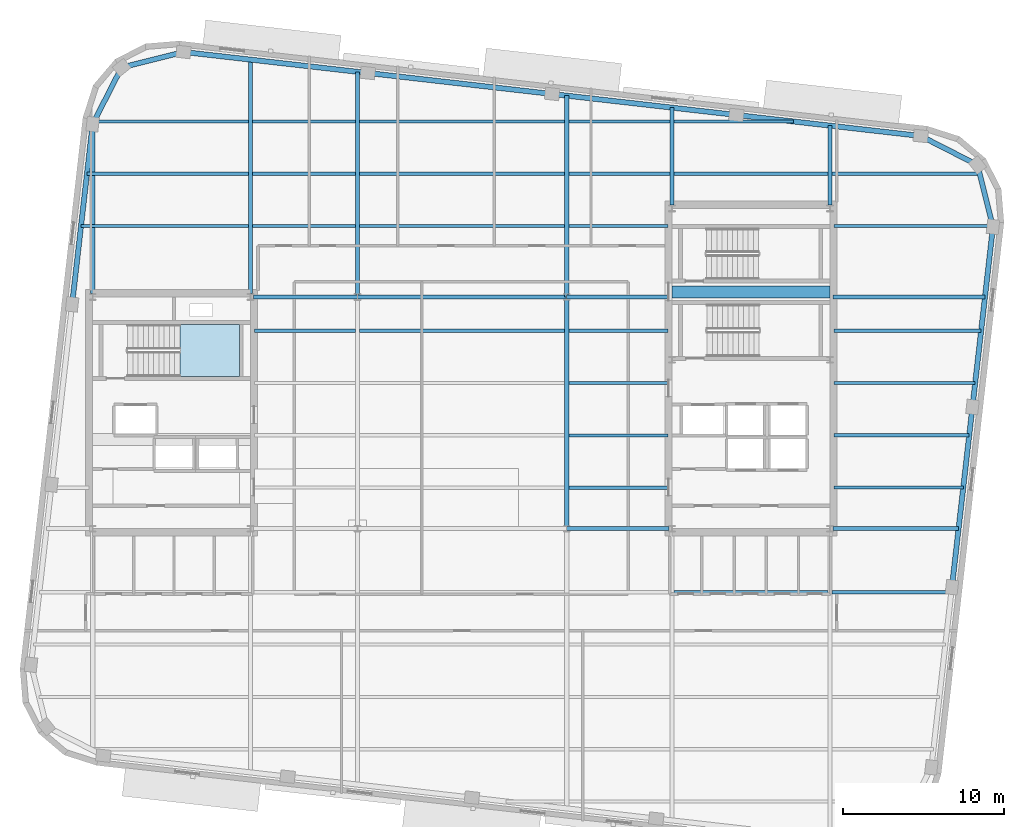
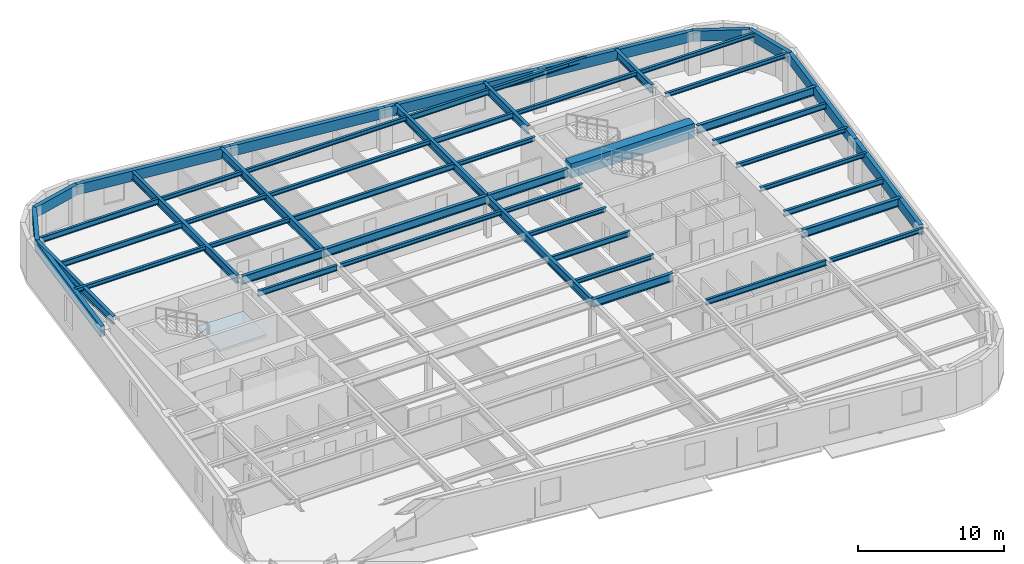
# One storey, part 4 of 13: 53 beams, 1 slab, 1 element without a shape of its own.
"""IFC4 building model written with IfcOpenShell, lengths in metres."""

import ifcopenshell
import ifcopenshell.guid

model = None  # the IFC model being written
_history = None  # IfcOwnerHistory: only IFC2X3 demands one
_inside = {}  # id of a spatial element -> (the spatial element, [elements in it])
_under = {}  # id of a project, library or spatial element -> (it, [spatial elements below it])
_declared = {}  # id of a project -> (the project, [libraries it declares])
_typed = {}  # id of a type object -> (the type object, [elements of that type])
_made_of = {}  # id of a material, layer set ... -> (it, [elements and type objects made of it])


def new_model(schema):
    """Start an empty IFC model of exactly this schema.

    Asked for "IFC4X3", IfcOpenShell would pick the latest addendum, in which some entities
    have other attributes; the version numbers below select the first issue.
    IFC2X3 requires an IfcOwnerHistory on every rooted entity: one is made here for all.
    """
    global model, _history
    if schema == "IFC4X3":
        model = ifcopenshell.file(schema_version=(4, 3, 0, 0))
    else:
        model = ifcopenshell.file(schema=schema)
    _inside.clear()
    _under.clear()
    _declared.clear()
    _typed.clear()
    _made_of.clear()
    _history = None
    if model.schema == "IFC2X3":
        org = make("IfcOrganization", Name="unknown")
        user = make(
            "IfcPersonAndOrganization",
            ThePerson=make("IfcPerson", FamilyName="unknown"),
            TheOrganization=org,
        )
        app = make(
            "IfcApplication",
            ApplicationDeveloper=org,
            Version="unknown",
            ApplicationFullName="unknown",
            ApplicationIdentifier="unknown",
        )
        _history = make(
            "IfcOwnerHistory",
            OwningUser=user,
            OwningApplication=app,
            ChangeAction="ADDED",
            CreationDate=0,
        )
    return model


def make(cls, **values):
    """One entity of the class cls with the attributes given. An attribute that is None is left unset."""
    return model.create_entity(
        cls, **{name: value for name, value in values.items() if value is not None}
    )


def rooted(cls, **values):
    """An entity with a GlobalId (a new one), such as an element, a storey or a relation."""
    return make(cls, GlobalId=ifcopenshell.guid.new(), OwnerHistory=_history, **values)


def si_unit(unit_type, name, prefix=None):
    """IfcSIUnit, for example si_unit("LENGTHUNIT", "METRE", prefix="MILLI")."""
    return make("IfcSIUnit", UnitType=unit_type, Prefix=prefix, Name=name)


def assignment(units):
    """IfcUnitAssignment: the units of a project."""
    return None if units is None else make("IfcUnitAssignment", Units=units)


def point(xyz):
    """IfcCartesianPoint."""
    return None if xyz is None else make("IfcCartesianPoint", Coordinates=xyz)


def direction(xyz):
    """IfcDirection."""
    return None if xyz is None else make("IfcDirection", DirectionRatios=xyz)


def frame(location, z_axis=None, x_axis=None):
    """IfcAxis2Placement3D, a coordinate frame: its origin and axes. An axis left out is left unset."""
    return make(
        "IfcAxis2Placement3D",
        Location=point(location),
        Axis=direction(z_axis),
        RefDirection=direction(x_axis),
    )


def frame_2d(location, x_axis=None):
    """IfcAxis2Placement2D, a coordinate frame in the plane: its origin and x axis."""
    return make(
        "IfcAxis2Placement2D", Location=point(location), RefDirection=direction(x_axis)
    )


def origin():
    """The frame at (0, 0, 0) with its axes left unset."""
    return frame((0.0, 0.0, 0.0))


def origin_2d():
    """The frame at (0, 0) in the plane with its x axis left unset."""
    return frame_2d((0.0, 0.0))


def place(relative_to, where):
    """IfcLocalPlacement: puts the frame where relative to a parent placement (None: the world)."""
    return make(
        "IfcLocalPlacement", PlacementRelTo=relative_to, RelativePlacement=where
    )


def context(
    kind, dimensions, precision=None, world=None, true_north=None, identifier=None
):
    """IfcGeometricRepresentationContext, for example the 3D "Model" context."""
    return make(
        "IfcGeometricRepresentationContext",
        ContextIdentifier=identifier,
        ContextType=kind,
        CoordinateSpaceDimension=dimensions,
        Precision=precision,
        WorldCoordinateSystem=world,
        TrueNorth=true_north,
    )


def subcontext(parent, identifier, kind, view, scale=None):
    """IfcGeometricRepresentationSubContext, for example "Body" below "Model"."""
    return make(
        "IfcGeometricRepresentationSubContext",
        ContextIdentifier=identifier,
        ContextType=kind,
        ParentContext=parent,
        TargetScale=scale,
        TargetView=view,
    )


def project(units=None, contexts=None):
    """IfcProject with its units and contexts."""
    return rooted(
        "IfcProject",
        Name="project",
        RepresentationContexts=contexts,
        UnitsInContext=assignment(units),
    )


def spatial(cls, under=None, at=None, **own):
    """A site, building, storey or space (cls), placed at a placement, below another one or the project."""
    s = rooted(cls, ObjectPlacement=at, **own)
    if under is not None:
        _under.setdefault(under.id(), (under, []))[1].append(s)
    return s


def polyline(points):
    """IfcPolyline through the points."""
    return make("IfcPolyline", Points=[point(p) for p in points])


def profile(cls, at=None, kind="AREA", **sizes):
    """A parametric profile (cls). Its sizes go by their IFC names, for example OverallWidth=200.0."""
    return make(cls, ProfileType=kind, Position=at, **sizes)


def rectangle(**sizes):
    """IfcRectangleProfileDef."""
    return profile("IfcRectangleProfileDef", **sizes)


def hollow_rectangle(**sizes):
    """IfcRectangleHollowProfileDef."""
    return profile("IfcRectangleHollowProfileDef", **sizes)


def i_section(**sizes):
    """IfcIShapeProfileDef."""
    return profile("IfcIShapeProfileDef", **sizes)


def outline(outer, holes=None, kind="AREA"):
    """IfcArbitraryClosedProfileDef: a profile drawn as a closed curve; with holes, ...WithVoids."""
    if holes is None:
        return make("IfcArbitraryClosedProfileDef", ProfileType=kind, OuterCurve=outer)
    return make(
        "IfcArbitraryProfileDefWithVoids",
        ProfileType=kind,
        OuterCurve=outer,
        InnerCurves=holes,
    )


def extrude(swept, where, along, depth):
    """IfcExtrudedAreaSolid: the profile swept, set in the frame where, extruded along a direction by depth."""
    return make(
        "IfcExtrudedAreaSolid",
        SweptArea=swept,
        Position=where,
        ExtrudedDirection=direction(along),
        Depth=depth,
    )


def shape(context_of_items, identifier, shape_type, items):
    """IfcShapeRepresentation: the items that make up one representation, for example the "Body"."""
    return make(
        "IfcShapeRepresentation",
        ContextOfItems=context_of_items,
        RepresentationIdentifier=identifier,
        RepresentationType=shape_type,
        Items=items,
    )


def material(Name=None, Category=None):
    """IfcMaterial."""
    return make("IfcMaterial", Name=Name, Category=Category)


def layer(
    of_material, thickness, ventilated=None, Name=None, Category=None, Priority=None
):
    """IfcMaterialLayer: one layer of a wall or slab, of a material (None: an air gap)."""
    return make(
        "IfcMaterialLayer",
        Material=of_material,
        LayerThickness=thickness,
        IsVentilated=ventilated,
        Name=Name,
        Category=Category,
        Priority=Priority,
    )


def layer_set(layers, Name=None):
    """IfcMaterialLayerSet."""
    return make("IfcMaterialLayerSet", MaterialLayers=layers, LayerSetName=Name)


def material_profile(
    of_material, cross_section, Name=None, Category=None, Priority=None
):
    """IfcMaterialProfile: a cross section and its material."""
    return make(
        "IfcMaterialProfile",
        Name=Name,
        Material=of_material,
        Profile=cross_section,
        Priority=Priority,
        Category=Category,
    )


def profile_set(profiles, Name=None, composite=None):
    """IfcMaterialProfileSet."""
    return make(
        "IfcMaterialProfileSet",
        Name=Name,
        MaterialProfiles=profiles,
        CompositeProfile=composite,
    )


def made_of(thing, what):
    """Note that an element or type object is made of a material, layer set ...; save() writes the relation."""
    if what is not None:
        _made_of.setdefault(what.id(), (what, []))[1].append(thing)
    return thing


def type_object(cls, material=None, **own):
    """A type object (cls), such as IfcWallType, which elements share."""
    return made_of(rooted(cls, **own), material)


def element(
    cls,
    number,
    at=None,
    inside=None,
    cuts=None,
    type_object=None,
    material=None,
    context=None,
    identifier="Body",
    shape_type=None,
    held_by="IfcProductDefinitionShape",
    body=None,
    shapes=None,
    **own,
):
    """One element of the class cls, such as IfcWall. Its Tag is "e" and its number.

    at: its placement. inside: the storey or other place that contains it. cuts: it is an
    opening in that element (IfcRelVoidsElement). A single representation is given by context,
    identifier, shape_type and body (its items); several are given by shapes. held_by: the class
    of the entity that holds the representations. save() writes the other relations.
    """
    e = rooted(cls, Tag="e%d" % number, ObjectPlacement=at, **own)
    if body is not None:
        shapes = [shape(context, identifier, shape_type, body)]
    if shapes is not None:
        e.Representation = make(held_by, Representations=shapes)
    if inside is not None:
        _inside.setdefault(inside.id(), (inside, []))[1].append(e)
    if cuts is not None:
        rooted(
            "IfcRelVoidsElement", RelatingBuildingElement=cuts, RelatedOpeningElement=e
        )
    if type_object is not None:
        _typed.setdefault(type_object.id(), (type_object, []))[1].append(e)
    return made_of(e, material)


def aggregate(whole, parts):
    """IfcRelAggregates: a whole, such as a stair, and the parts it consists of."""
    return rooted("IfcRelAggregates", RelatingObject=whole, RelatedObjects=parts)


def save(model, path):
    """Write the relations noted so far, then the file.

    IfcRelAggregates (storeys below a building ...), IfcRelContainedInSpatialStructure (elements
    in a storey), IfcRelDefinesByType, IfcRelAssociatesMaterial and IfcRelDeclares: one each for
    every whole, place, type object, material and project.
    """
    for whole, parts in _under.values():
        aggregate(whole, parts)
    for where, things in _inside.values():
        rooted(
            "IfcRelContainedInSpatialStructure",
            RelatedElements=things,
            RelatingStructure=where,
        )
    for kind, things in _typed.values():
        rooted("IfcRelDefinesByType", RelatedObjects=things, RelatingType=kind)
    for what, things in _made_of.values():
        rooted("IfcRelAssociatesMaterial", RelatedObjects=things, RelatingMaterial=what)
    for by, libraries in _declared.values():
        rooted("IfcRelDeclares", RelatingContext=by, RelatedDefinitions=libraries)
    model.write(path)


model = new_model("IFC4")

# Units and contexts
model_context = context("Model", 3, precision=1e-05, world=origin(), true_north=direction((0.0, 1.0)))
body_context = subcontext(model_context, "Body", "Model", "MODEL_VIEW")
ifc_project = project(units=[si_unit("LENGTHUNIT", "METRE"), si_unit("AREAUNIT", "SQUARE_METRE"), si_unit("VOLUMEUNIT", "CUBIC_METRE"), si_unit("PLANEANGLEUNIT", "RADIAN"), si_unit("MASSUNIT", "GRAM", prefix="KILO")], contexts=[model_context])

# Site, building, storey
site_placement = place(None, origin())
site = spatial("IfcSite", under=ifc_project, at=site_placement, CompositionType="ELEMENT")
building_placement = place(site_placement, origin())
building = spatial("IfcBuilding", under=site, at=building_placement, Name="Kolvaren Arena Tower", CompositionType="ELEMENT")
storey_placement = place(building_placement, frame((0.0, 0.0, 254.699951171875)))
storey = spatial("IfcBuildingStorey", under=building, at=storey_placement, Name="L62", CompositionType="ELEMENT", Elevation=254.699951171875)

# Beams
ifc_material_1 = material(Name="Steel CSA G40.21 350W", Category="steel")
ifc_material_profile_1 = material_profile(ifc_material_1, i_section(OverallWidth=0.193115234375, OverallDepth=0.462890625, WebThickness=0.0107421875, FlangeThickness=0.0205078125, FilletRadius=0.012939453125, at=origin_2d()), Name="W460x113")
ifc_profile_set_1 = profile_set([ifc_material_profile_1], Name="Steel CSA G40.21 350W")
beam_type_1 = type_object("IfcBeamType", Name="BEAM-F2", PredefinedType="BEAM", material=ifc_profile_set_1)
beam_1_placement = place(storey_placement, frame((50.677490234375, 15.5, 3.24853515625), z_axis=(1.0, 0.0, 0.0), x_axis=(0.0, 1.0, 0.0)))
element("IfcBeam", 1, at=beam_1_placement, inside=storey, type_object=beam_type_1, Name="Composite Floor Beam (L62)", PredefinedType="BEAM", context=body_context, shape_type="SweptSolid", body=[
    extrude(i_section(OverallWidth=0.193115234375, OverallDepth=0.462890625, WebThickness=0.0107421875, FlangeThickness=0.0205078125, FilletRadius=0.012939453125, at=origin_2d()), origin(), (0.0, 0.0, 1.0), 9.544921875),
])
beam_2_placement = place(storey_placement, frame((60.594970703125, 22.0, 3.24853515625), z_axis=(1.0, 0.0, 0.0), x_axis=(0.0, 1.0, 0.0)))
element("IfcBeam", 2, at=beam_2_placement, inside=storey, type_object=beam_type_1, Name="Composite Floor Beam (L62)", PredefinedType="BEAM", context=body_context, shape_type="SweptSolid", body=[
    extrude(i_section(OverallWidth=0.193115234375, OverallDepth=0.462890625, WebThickness=0.0107421875, FlangeThickness=0.0205078125, FilletRadius=0.012939453125, at=origin_2d()), origin(), (0.0, 0.0, 1.0), 8.041015625),
])
beam_3_placement = place(storey_placement, frame((44.12744140625, 25.25, 3.24853515625), z_axis=(1.0, 0.0, 0.0), x_axis=(0.0, 1.0, 0.0)))
element("IfcBeam", 3, at=beam_3_placement, inside=storey, type_object=beam_type_1, Name="Composite Floor Beam (L62)", PredefinedType="BEAM", context=body_context, shape_type="SweptSolid", body=[
    extrude(i_section(OverallWidth=0.193115234375, OverallDepth=0.462890625, WebThickness=0.0107421875, FlangeThickness=0.0205078125, FilletRadius=0.012939453125, at=origin_2d()), origin(), (0.0, 0.0, 1.0), 6.177490234375),
])
beam_4_placement = place(storey_placement, frame((24.594970703125, 31.75, 3.24853515625), z_axis=(1.0, 0.0, 0.0), x_axis=(0.0, 1.0, 0.0)))
element("IfcBeam", 4, at=beam_4_placement, inside=storey, type_object=beam_type_1, Name="Composite Floor Beam (L62)", PredefinedType="BEAM", context=body_context, shape_type="SweptSolid", body=[
    extrude(i_section(OverallWidth=0.193115234375, OverallDepth=0.462890625, WebThickness=0.0107421875, FlangeThickness=0.0205078125, FilletRadius=0.012939453125, at=origin_2d()), origin(), (0.0, 0.0, 1.0), 6.277587890625),
])
beam_5_placement = place(storey_placement, frame((60.594970703125, 31.75, 3.24853515625), z_axis=(1.0, 0.0, 0.0), x_axis=(0.0, 1.0, 0.0)))
element("IfcBeam", 5, at=beam_5_placement, inside=storey, type_object=beam_type_1, Name="Composite Floor Beam (L62)", PredefinedType="BEAM", context=body_context, shape_type="SweptSolid", body=[
    extrude(i_section(OverallWidth=0.193115234375, OverallDepth=0.462890625, WebThickness=0.0107421875, FlangeThickness=0.0205078125, FilletRadius=0.012939453125, at=origin_2d()), origin(), (0.0, 0.0, 1.0), 9.15185546875),
])
beam_6_placement = place(storey_placement, frame((31.12744140625, 38.25, 3.24853515625), z_axis=(1.0, 0.0, 0.0), x_axis=(0.0, 1.0, 0.0)))
element("IfcBeam", 6, at=beam_6_placement, inside=storey, type_object=beam_type_1, Name="Composite Floor Beam (L62)", PredefinedType="BEAM", context=body_context, shape_type="SweptSolid", body=[
    extrude(i_section(OverallWidth=0.193115234375, OverallDepth=0.462890625, WebThickness=0.0107421875, FlangeThickness=0.0205078125, FilletRadius=0.012939453125, at=origin_2d()), origin(), (0.0, 0.0, 1.0), 12.7451171875),
])
beam_7_placement = place(storey_placement, frame((14.193359375, 41.5, 3.24853515625), z_axis=(1.0, 0.0, 0.0), x_axis=(0.0, 1.0, 0.0)))
element("IfcBeam", 7, at=beam_7_placement, inside=storey, type_object=beam_type_1, Name="Composite Floor Beam (L62)", PredefinedType="BEAM", context=body_context, shape_type="SweptSolid", body=[
    extrude(i_section(OverallWidth=0.193115234375, OverallDepth=0.462890625, WebThickness=0.0107421875, FlangeThickness=0.0205078125, FilletRadius=0.012939453125, at=origin_2d()), origin(), (0.0, 0.0, 1.0), 10.029052734375),
])
beam_8_placement = place(storey_placement, frame((44.12744140625, 41.5, 3.24853515625), z_axis=(1.0, 0.0, 0.0), x_axis=(0.0, 1.0, 0.0)))
element("IfcBeam", 8, at=beam_8_placement, inside=storey, type_object=beam_type_1, Name="Composite Floor Beam (L62)", PredefinedType="BEAM", context=body_context, shape_type="SweptSolid", body=[
    extrude(i_section(OverallWidth=0.193115234375, OverallDepth=0.462890625, WebThickness=0.0107421875, FlangeThickness=0.0205078125, FilletRadius=0.012939453125, at=origin_2d()), origin(), (0.0, 0.0, 1.0), 6.295166015625),
])
beam_9_placement = place(storey_placement, frame((14.632080078125, 44.75, 3.24853515625), z_axis=(1.0, 0.0, 0.0), x_axis=(0.0, 1.0, 0.0)))
element("IfcBeam", 9, at=beam_9_placement, inside=storey, type_object=beam_type_1, Name="Composite Floor Beam (L62)", PredefinedType="BEAM", context=body_context, shape_type="SweptSolid", body=[
    extrude(i_section(OverallWidth=0.193115234375, OverallDepth=0.462890625, WebThickness=0.0107421875, FlangeThickness=0.0205078125, FilletRadius=0.012939453125, at=origin_2d()), origin(), (0.0, 0.0, 1.0), 9.59033203125),
])
beam_10_placement = place(storey_placement, frame((44.12744140625, 44.75, 3.24853515625), z_axis=(1.0, 0.0, 0.0), x_axis=(0.0, 1.0, 0.0)))
element("IfcBeam", 10, at=beam_10_placement, inside=storey, type_object=beam_type_1, Name="Composite Floor Beam (L62)", PredefinedType="BEAM", context=body_context, shape_type="SweptSolid", body=[
    extrude(i_section(OverallWidth=0.193115234375, OverallDepth=0.462890625, WebThickness=0.0107421875, FlangeThickness=0.0205078125, FilletRadius=0.012939453125, at=origin_2d()), origin(), (0.0, 0.0, 1.0), 6.295166015625),
])
ifc_material_2 = material(Name="Concrete 60 MPa", Category="concrete")
ifc_material_profile_2 = material_profile(ifc_material_2, rectangle(XDim=0.75, YDim=1.199951171875, at=origin_2d()), Name="RC-750x1200")
ifc_profile_set_2 = profile_set([ifc_material_profile_2], Name="Concrete 60 MPa")
beam_type_2 = type_object("IfcBeamType", Name="CB-CORE-2", PredefinedType="BEAM", material=ifc_profile_set_2)
beam_11_placement = place(storey_placement, frame((50.550048828125, 34.14990234375, 3.150146484375), z_axis=(1.0, 0.0, 0.0), x_axis=(0.0, 1.0, 0.0)))
element("IfcBeam", 11, at=beam_11_placement, inside=storey, type_object=beam_type_2, Name="East Core Coupling Beam (L62)", PredefinedType="BEAM", context=body_context, shape_type="SweptSolid", body=[
    extrude(rectangle(XDim=0.75, YDim=1.199951171875, at=origin_2d()), origin(), (0.0, 0.0, 1.0), 9.800048828125),
])
ifc_material_profile_3 = material_profile(ifc_material_1, i_section(OverallWidth=0.2548828125, OverallDepth=0.695068359375, WebThickness=0.01708984375, FlangeThickness=0.02978515625, FilletRadius=0.01611328125, at=origin_2d()), Name="W690x217")
ifc_profile_set_3 = profile_set([ifc_material_profile_3], Name="Steel CSA G40.21 350W")
beam_type_3 = type_object("IfcBeamType", Name="GIRD-T2", PredefinedType="BEAM", material=ifc_profile_set_3)
beam_12_placement = place(storey_placement, frame((44.0, 19.449951171875, 3.132568359375), z_axis=(1.0, 0.0, 0.0), x_axis=(0.0, 1.0, 0.0)))
element("IfcBeam", 12, at=beam_12_placement, inside=storey, type_object=beam_type_3, Name="Primary Floor Girder (L62)", PredefinedType="BEAM", context=body_context, shape_type="SweptSolid", body=[
    extrude(i_section(OverallWidth=0.2548828125, OverallDepth=0.695068359375, WebThickness=0.01708984375, FlangeThickness=0.02978515625, FilletRadius=0.01611328125, at=origin_2d()), origin(), (0.0, 0.0, 1.0), 6.344970703125),
])
beam_13_placement = place(storey_placement, frame((60.554931640625, 19.449951171875, 3.132568359375), z_axis=(1.0, 0.0, 0.0), x_axis=(0.0, 1.0, 0.0)))
element("IfcBeam", 13, at=beam_13_placement, inside=storey, type_object=beam_type_3, Name="Primary Floor Girder (L62)", PredefinedType="BEAM", context=body_context, shape_type="SweptSolid", body=[
    extrude(i_section(OverallWidth=0.2548828125, OverallDepth=0.695068359375, WebThickness=0.01708984375, FlangeThickness=0.02978515625, FilletRadius=0.01611328125, at=origin_2d()), origin(), (0.0, 0.0, 1.0), 7.790283203125),
])
beam_14_placement = place(storey_placement, frame((24.554931640625, 33.85009765625, 3.132568359375), z_axis=(1.0, 0.0, 0.0), x_axis=(0.0, 1.0, 0.0)))
element("IfcBeam", 14, at=beam_14_placement, inside=storey, type_object=beam_type_3, Name="Primary Floor Girder (L62)", PredefinedType="BEAM", context=body_context, shape_type="SweptSolid", body=[
    extrude(i_section(OverallWidth=0.2548828125, OverallDepth=0.695068359375, WebThickness=0.01708984375, FlangeThickness=0.02978515625, FilletRadius=0.01611328125, at=origin_2d()), origin(), (0.0, 0.0, 1.0), 6.445068359375),
])
beam_15_placement = place(storey_placement, frame((31.0, 33.85009765625, 3.132568359375), z_axis=(1.0, 0.0, 0.0), x_axis=(0.0, 1.0, 0.0)))
element("IfcBeam", 15, at=beam_15_placement, inside=storey, type_object=beam_type_3, Name="Primary Floor Girder (L62)", PredefinedType="BEAM", context=body_context, shape_type="SweptSolid", body=[
    extrude(i_section(OverallWidth=0.2548828125, OverallDepth=0.695068359375, WebThickness=0.01708984375, FlangeThickness=0.02978515625, FilletRadius=0.01611328125, at=origin_2d()), origin(), (0.0, 0.0, 1.0), 13.0),
])
beam_16_placement = place(storey_placement, frame((44.0, 33.85009765625, 3.132568359375), z_axis=(1.0, 0.0, 0.0), x_axis=(0.0, 1.0, 0.0)))
element("IfcBeam", 16, at=beam_16_placement, inside=storey, type_object=beam_type_3, Name="Primary Floor Girder (L62)", PredefinedType="BEAM", context=body_context, shape_type="SweptSolid", body=[
    extrude(i_section(OverallWidth=0.2548828125, OverallDepth=0.695068359375, WebThickness=0.01708984375, FlangeThickness=0.02978515625, FilletRadius=0.01611328125, at=origin_2d()), origin(), (0.0, 0.0, 1.0), 6.344970703125),
])
beam_17_placement = place(storey_placement, frame((60.554931640625, 33.85009765625, 3.132568359375), z_axis=(1.0, 0.0, 0.0), x_axis=(0.0, 1.0, 0.0)))
element("IfcBeam", 17, at=beam_17_placement, inside=storey, type_object=beam_type_3, Name="Primary Floor Girder (L62)", PredefinedType="BEAM", context=body_context, shape_type="SweptSolid", body=[
    extrude(i_section(OverallWidth=0.2548828125, OverallDepth=0.695068359375, WebThickness=0.01708984375, FlangeThickness=0.02978515625, FilletRadius=0.01611328125, at=origin_2d()), origin(), (0.0, 0.0, 1.0), 9.43115234375),
])
beam_18_placement = place(storey_placement, frame((14.550048828125, 34.054931640625, 3.132568359375), z_axis=(0.0, 1.0, 0.0), x_axis=(-1.0, 0.0, 0.0)))
element("IfcBeam", 18, at=beam_18_placement, inside=storey, type_object=beam_type_3, Name="Primary Floor Girder (L62)", PredefinedType="BEAM", context=body_context, shape_type="SweptSolid", body=[
    extrude(i_section(OverallWidth=0.2548828125, OverallDepth=0.695068359375, WebThickness=0.01708984375, FlangeThickness=0.02978515625, FilletRadius=0.01611328125, at=origin_2d()), origin(), (0.0, 0.0, 1.0), 10.53466796875),
])
beam_19_placement = place(storey_placement, frame((24.35009765625, 34.054931640625, 3.132568359375), z_axis=(0.0, 1.0, 0.0), x_axis=(-1.0, 0.0, 0.0)))
element("IfcBeam", 19, at=beam_19_placement, inside=storey, type_object=beam_type_3, Name="Primary Floor Girder (L62)", PredefinedType="BEAM", context=body_context, shape_type="SweptSolid", body=[
    extrude(i_section(OverallWidth=0.2548828125, OverallDepth=0.695068359375, WebThickness=0.01708984375, FlangeThickness=0.02978515625, FilletRadius=0.01611328125, at=origin_2d()), origin(), (0.0, 0.0, 1.0), 14.538818359375),
])
beam_20_placement = place(storey_placement, frame((31.0, 33.85009765625, 3.132568359375), z_axis=(0.0, 1.0, 0.0), x_axis=(-1.0, 0.0, 0.0)))
element("IfcBeam", 20, at=beam_20_placement, inside=storey, type_object=beam_type_3, Name="Primary Floor Girder (L62)", PredefinedType="BEAM", context=body_context, shape_type="SweptSolid", body=[
    extrude(i_section(OverallWidth=0.2548828125, OverallDepth=0.695068359375, WebThickness=0.01708984375, FlangeThickness=0.02978515625, FilletRadius=0.01611328125, at=origin_2d()), origin(), (0.0, 0.0, 1.0), 13.986083984375),
])
beam_21_placement = place(storey_placement, frame((44.0, 19.449951171875, 3.132568359375), z_axis=(0.0, 1.0, 0.0), x_axis=(-1.0, 0.0, 0.0)))
element("IfcBeam", 21, at=beam_21_placement, inside=storey, type_object=beam_type_3, Name="Primary Floor Girder (L62)", PredefinedType="BEAM", context=body_context, shape_type="SweptSolid", body=[
    extrude(i_section(OverallWidth=0.2548828125, OverallDepth=0.695068359375, WebThickness=0.01708984375, FlangeThickness=0.02978515625, FilletRadius=0.01611328125, at=origin_2d()), origin(), (0.0, 0.0, 1.0), 14.400146484375),
])
beam_22_placement = place(storey_placement, frame((44.0, 33.85009765625, 3.132568359375), z_axis=(0.0, 1.0, 0.0), x_axis=(-1.0, 0.0, 0.0)))
element("IfcBeam", 22, at=beam_22_placement, inside=storey, type_object=beam_type_3, Name="Primary Floor Girder (L62)", PredefinedType="BEAM", context=body_context, shape_type="SweptSolid", body=[
    extrude(i_section(OverallWidth=0.2548828125, OverallDepth=0.695068359375, WebThickness=0.01708984375, FlangeThickness=0.02978515625, FilletRadius=0.01611328125, at=origin_2d()), origin(), (0.0, 0.0, 1.0), 12.5048828125),
])
beam_23_placement = place(storey_placement, frame((50.550048828125, 39.554931640625, 3.132568359375), z_axis=(0.0, 1.0, 0.0), x_axis=(-1.0, 0.0, 0.0)))
element("IfcBeam", 23, at=beam_23_placement, inside=storey, type_object=beam_type_3, Name="Primary Floor Girder (L62)", PredefinedType="BEAM", context=body_context, shape_type="SweptSolid", body=[
    extrude(i_section(OverallWidth=0.2548828125, OverallDepth=0.695068359375, WebThickness=0.01708984375, FlangeThickness=0.02978515625, FilletRadius=0.01611328125, at=origin_2d()), origin(), (0.0, 0.0, 1.0), 6.0537109375),
])
beam_24_placement = place(storey_placement, frame((60.35009765625, 39.554931640625, 3.132568359375), z_axis=(0.0, 1.0, 0.0), x_axis=(-1.0, 0.0, 0.0)))
element("IfcBeam", 24, at=beam_24_placement, inside=storey, type_object=beam_type_3, Name="Primary Floor Girder (L62)", PredefinedType="BEAM", context=body_context, shape_type="SweptSolid", body=[
    extrude(i_section(OverallWidth=0.2548828125, OverallDepth=0.695068359375, WebThickness=0.01708984375, FlangeThickness=0.02978515625, FilletRadius=0.01611328125, at=origin_2d()), origin(), (0.0, 0.0, 1.0), 4.937255859375),
])
ifc_material_profile_4 = material_profile(ifc_material_1, i_section(OverallWidth=0.202880859375, OverallDepth=0.346923828125, WebThickness=0.0078125, FlangeThickness=0.013427734375, FilletRadius=0.010986328125, at=origin_2d()), Name="W360x64")
ifc_profile_set_4 = profile_set([ifc_material_profile_4], Name="Steel CSA G40.21 350W")
beam_type_4 = type_object("IfcBeamType", Name="JOIST-01", PredefinedType="JOIST", material=ifc_profile_set_4)
beam_25_placement = place(storey_placement, frame((60.4775390625, 15.5, 3.306640625), z_axis=(1.0, 0.0, 0.0), x_axis=(0.0, 1.0, 0.0)))
element("IfcBeam", 25, at=beam_25_placement, inside=storey, type_object=beam_type_4, Name="Composite Floor Joist (L62)", PredefinedType="JOIST", context=body_context, shape_type="SweptSolid", body=[
    extrude(i_section(OverallWidth=0.202880859375, OverallDepth=0.346923828125, WebThickness=0.0078125, FlangeThickness=0.013427734375, FilletRadius=0.010986328125, at=origin_2d()), origin(), (0.0, 0.0, 1.0), 7.417724609375),
])
beam_26_placement = place(storey_placement, frame((44.12744140625, 22.0, 3.306640625), z_axis=(1.0, 0.0, 0.0), x_axis=(0.0, 1.0, 0.0)))
element("IfcBeam", 26, at=beam_26_placement, inside=storey, type_object=beam_type_4, Name="Composite Floor Joist (L62)", PredefinedType="JOIST", context=body_context, shape_type="SweptSolid", body=[
    extrude(i_section(OverallWidth=0.202880859375, OverallDepth=0.346923828125, WebThickness=0.0078125, FlangeThickness=0.013427734375, FilletRadius=0.010986328125, at=origin_2d()), origin(), (0.0, 0.0, 1.0), 6.177490234375),
])
beam_27_placement = place(storey_placement, frame((60.594970703125, 25.25, 3.306640625), z_axis=(1.0, 0.0, 0.0), x_axis=(0.0, 1.0, 0.0)))
element("IfcBeam", 27, at=beam_27_placement, inside=storey, type_object=beam_type_4, Name="Composite Floor Joist (L62)", PredefinedType="JOIST", context=body_context, shape_type="SweptSolid", body=[
    extrude(i_section(OverallWidth=0.202880859375, OverallDepth=0.346923828125, WebThickness=0.0078125, FlangeThickness=0.013427734375, FilletRadius=0.010986328125, at=origin_2d()), origin(), (0.0, 0.0, 1.0), 8.4111328125),
])
beam_28_placement = place(storey_placement, frame((44.12744140625, 28.5, 3.306640625), z_axis=(1.0, 0.0, 0.0), x_axis=(0.0, 1.0, 0.0)))
element("IfcBeam", 28, at=beam_28_placement, inside=storey, type_object=beam_type_4, Name="Composite Floor Joist (L62)", PredefinedType="JOIST", context=body_context, shape_type="SweptSolid", body=[
    extrude(i_section(OverallWidth=0.202880859375, OverallDepth=0.346923828125, WebThickness=0.0078125, FlangeThickness=0.013427734375, FilletRadius=0.010986328125, at=origin_2d()), origin(), (0.0, 0.0, 1.0), 6.177490234375),
])
beam_29_placement = place(storey_placement, frame((60.594970703125, 28.5, 3.306640625), z_axis=(1.0, 0.0, 0.0), x_axis=(0.0, 1.0, 0.0)))
element("IfcBeam", 29, at=beam_29_placement, inside=storey, type_object=beam_type_4, Name="Composite Floor Joist (L62)", PredefinedType="JOIST", context=body_context, shape_type="SweptSolid", body=[
    extrude(i_section(OverallWidth=0.202880859375, OverallDepth=0.346923828125, WebThickness=0.0078125, FlangeThickness=0.013427734375, FilletRadius=0.010986328125, at=origin_2d()), origin(), (0.0, 0.0, 1.0), 8.781494140625),
])
beam_30_placement = place(storey_placement, frame((31.12744140625, 31.75, 3.306640625), z_axis=(1.0, 0.0, 0.0), x_axis=(0.0, 1.0, 0.0)))
element("IfcBeam", 30, at=beam_30_placement, inside=storey, type_object=beam_type_4, Name="Composite Floor Joist (L62)", PredefinedType="JOIST", context=body_context, shape_type="SweptSolid", body=[
    extrude(i_section(OverallWidth=0.202880859375, OverallDepth=0.346923828125, WebThickness=0.0078125, FlangeThickness=0.013427734375, FilletRadius=0.010986328125, at=origin_2d()), origin(), (0.0, 0.0, 1.0), 12.7451171875),
])
beam_31_placement = place(storey_placement, frame((44.12744140625, 31.75, 3.306640625), z_axis=(1.0, 0.0, 0.0), x_axis=(0.0, 1.0, 0.0)))
element("IfcBeam", 31, at=beam_31_placement, inside=storey, type_object=beam_type_4, Name="Composite Floor Joist (L62)", PredefinedType="JOIST", context=body_context, shape_type="SweptSolid", body=[
    extrude(i_section(OverallWidth=0.202880859375, OverallDepth=0.346923828125, WebThickness=0.0078125, FlangeThickness=0.013427734375, FilletRadius=0.010986328125, at=origin_2d()), origin(), (0.0, 0.0, 1.0), 6.177490234375),
])
beam_32_placement = place(storey_placement, frame((13.822998046875, 38.25, 3.306640625), z_axis=(1.0, 0.0, 0.0), x_axis=(0.0, 1.0, 0.0)))
element("IfcBeam", 32, at=beam_32_placement, inside=storey, type_object=beam_type_4, Name="Composite Floor Joist (L62)", PredefinedType="JOIST", context=body_context, shape_type="SweptSolid", body=[
    extrude(i_section(OverallWidth=0.202880859375, OverallDepth=0.346923828125, WebThickness=0.0078125, FlangeThickness=0.013427734375, FilletRadius=0.010986328125, at=origin_2d()), origin(), (0.0, 0.0, 1.0), 10.3994140625),
])
beam_33_placement = place(storey_placement, frame((24.4775390625, 38.25, 3.306640625), z_axis=(1.0, 0.0, 0.0), x_axis=(0.0, 1.0, 0.0)))
element("IfcBeam", 33, at=beam_33_placement, inside=storey, type_object=beam_type_4, Name="Composite Floor Joist (L62)", PredefinedType="JOIST", context=body_context, shape_type="SweptSolid", body=[
    extrude(i_section(OverallWidth=0.202880859375, OverallDepth=0.346923828125, WebThickness=0.0078125, FlangeThickness=0.013427734375, FilletRadius=0.010986328125, at=origin_2d()), origin(), (0.0, 0.0, 1.0), 6.39501953125),
])
beam_34_placement = place(storey_placement, frame((44.12744140625, 38.25, 3.306640625), z_axis=(1.0, 0.0, 0.0), x_axis=(0.0, 1.0, 0.0)))
element("IfcBeam", 34, at=beam_34_placement, inside=storey, type_object=beam_type_4, Name="Composite Floor Joist (L62)", PredefinedType="JOIST", context=body_context, shape_type="SweptSolid", body=[
    extrude(i_section(OverallWidth=0.202880859375, OverallDepth=0.346923828125, WebThickness=0.0078125, FlangeThickness=0.013427734375, FilletRadius=0.010986328125, at=origin_2d()), origin(), (0.0, 0.0, 1.0), 6.177490234375),
])
beam_35_placement = place(storey_placement, frame((60.594970703125, 38.25, 3.306640625), z_axis=(1.0, 0.0, 0.0), x_axis=(0.0, 1.0, 0.0)))
element("IfcBeam", 35, at=beam_35_placement, inside=storey, type_object=beam_type_4, Name="Composite Floor Joist (L62)", PredefinedType="JOIST", context=body_context, shape_type="SweptSolid", body=[
    extrude(i_section(OverallWidth=0.202880859375, OverallDepth=0.346923828125, WebThickness=0.0078125, FlangeThickness=0.013427734375, FilletRadius=0.010986328125, at=origin_2d()), origin(), (0.0, 0.0, 1.0), 9.8759765625),
])
beam_36_placement = place(storey_placement, frame((24.4775390625, 41.5, 3.306640625), z_axis=(1.0, 0.0, 0.0), x_axis=(0.0, 1.0, 0.0)))
element("IfcBeam", 36, at=beam_36_placement, inside=storey, type_object=beam_type_4, Name="Composite Floor Joist (L62)", PredefinedType="JOIST", context=body_context, shape_type="SweptSolid", body=[
    extrude(i_section(OverallWidth=0.202880859375, OverallDepth=0.346923828125, WebThickness=0.0078125, FlangeThickness=0.013427734375, FilletRadius=0.010986328125, at=origin_2d()), origin(), (0.0, 0.0, 1.0), 6.39501953125),
])
beam_37_placement = place(storey_placement, frame((31.12744140625, 41.5, 3.306640625), z_axis=(1.0, 0.0, 0.0), x_axis=(0.0, 1.0, 0.0)))
element("IfcBeam", 37, at=beam_37_placement, inside=storey, type_object=beam_type_4, Name="Composite Floor Joist (L62)", PredefinedType="JOIST", context=body_context, shape_type="SweptSolid", body=[
    extrude(i_section(OverallWidth=0.202880859375, OverallDepth=0.346923828125, WebThickness=0.0078125, FlangeThickness=0.013427734375, FilletRadius=0.010986328125, at=origin_2d()), origin(), (0.0, 0.0, 1.0), 12.7451171875),
])
beam_38_placement = place(storey_placement, frame((50.677490234375, 41.5, 3.306640625), z_axis=(1.0, 0.0, 0.0), x_axis=(0.0, 1.0, 0.0)))
element("IfcBeam", 38, at=beam_38_placement, inside=storey, type_object=beam_type_4, Name="Composite Floor Joist (L62)", PredefinedType="JOIST", context=body_context, shape_type="SweptSolid", body=[
    extrude(i_section(OverallWidth=0.202880859375, OverallDepth=0.346923828125, WebThickness=0.0078125, FlangeThickness=0.013427734375, FilletRadius=0.010986328125, at=origin_2d()), origin(), (0.0, 0.0, 1.0), 9.544921875),
])
beam_39_placement = place(storey_placement, frame((60.4775390625, 41.5, 3.306640625), z_axis=(1.0, 0.0, 0.0), x_axis=(0.0, 1.0, 0.0)))
element("IfcBeam", 39, at=beam_39_placement, inside=storey, type_object=beam_type_4, Name="Composite Floor Joist (L62)", PredefinedType="JOIST", context=body_context, shape_type="SweptSolid", body=[
    extrude(i_section(OverallWidth=0.202880859375, OverallDepth=0.346923828125, WebThickness=0.0078125, FlangeThickness=0.013427734375, FilletRadius=0.010986328125, at=origin_2d()), origin(), (0.0, 0.0, 1.0), 9.17919921875),
])
beam_40_placement = place(storey_placement, frame((24.4775390625, 44.75, 3.306640625), z_axis=(1.0, 0.0, 0.0), x_axis=(0.0, 1.0, 0.0)))
element("IfcBeam", 40, at=beam_40_placement, inside=storey, type_object=beam_type_4, Name="Composite Floor Joist (L62)", PredefinedType="JOIST", context=body_context, shape_type="SweptSolid", body=[
    extrude(i_section(OverallWidth=0.202880859375, OverallDepth=0.346923828125, WebThickness=0.0078125, FlangeThickness=0.013427734375, FilletRadius=0.010986328125, at=origin_2d()), origin(), (0.0, 0.0, 1.0), 6.39501953125),
])
beam_41_placement = place(storey_placement, frame((31.12744140625, 44.75, 3.306640625), z_axis=(1.0, 0.0, 0.0), x_axis=(0.0, 1.0, 0.0)))
element("IfcBeam", 41, at=beam_41_placement, inside=storey, type_object=beam_type_4, Name="Composite Floor Joist (L62)", PredefinedType="JOIST", context=body_context, shape_type="SweptSolid", body=[
    extrude(i_section(OverallWidth=0.202880859375, OverallDepth=0.346923828125, WebThickness=0.0078125, FlangeThickness=0.013427734375, FilletRadius=0.010986328125, at=origin_2d()), origin(), (0.0, 0.0, 1.0), 12.7451171875),
])
beam_42_placement = place(storey_placement, frame((50.677490234375, 44.75, 3.306640625), z_axis=(1.0, 0.0, 0.0), x_axis=(0.0, 1.0, 0.0)))
element("IfcBeam", 42, at=beam_42_placement, inside=storey, type_object=beam_type_4, Name="Composite Floor Joist (L62)", PredefinedType="JOIST", context=body_context, shape_type="SweptSolid", body=[
    extrude(i_section(OverallWidth=0.202880859375, OverallDepth=0.346923828125, WebThickness=0.0078125, FlangeThickness=0.013427734375, FilletRadius=0.010986328125, at=origin_2d()), origin(), (0.0, 0.0, 1.0), 7.40869140625),
])
ifc_material_3 = material(Name="Steel CSA G40.21 350WT", Category="steel")
ifc_material_profile_5 = material_profile(ifc_material_3, hollow_rectangle(XDim=0.320068359375, YDim=0.860107421875, WallThickness=0.01806640625, at=origin_2d()), Name="HSS 860x320x18")
ifc_profile_set_5 = profile_set([ifc_material_profile_5], Name="Steel CSA G40.21 350WT")
beam_type_5 = type_object("IfcBeamType", Name="SPAND-02", PredefinedType="SPANDREL", material=ifc_profile_set_5)
beam_43_placement = place(storey_placement, frame((67.931396484375, 15.816162109375, 3.050048828125), z_axis=(0.113199459318, 0.993572283435, 0.0), x_axis=(-0.993572283435, 0.113199459318, 0.0)))
element("IfcBeam", 43, at=beam_43_placement, inside=storey, type_object=beam_type_5, Name="Perimeter Spandrel Beam (L62)", PredefinedType="SPANDREL", context=body_context, shape_type="SweptSolid", body=[
    extrude(hollow_rectangle(XDim=0.320068359375, YDim=0.860107421875, WallThickness=0.01806640625, at=origin_2d()), origin(), (0.0, 0.0, 1.0), 11.266845703125),
])
beam_44_placement = place(storey_placement, frame((69.206787109375, 27.010498046875, 3.050048828125), z_axis=(0.113201896536, 0.993572005755, 0.0), x_axis=(-0.993572005755, 0.113201896536, 0.0)))
element("IfcBeam", 44, at=beam_44_placement, inside=storey, type_object=beam_type_5, Name="Perimeter Spandrel Beam (L62)", PredefinedType="SPANDREL", context=body_context, shape_type="SweptSolid", body=[
    extrude(hollow_rectangle(XDim=0.320068359375, YDim=0.860107421875, WallThickness=0.01806640625, at=origin_2d()), origin(), (0.0, 0.0, 1.0), 11.2666015625),
])
for number, where, z_axis, x_axis, name in (
    (45, (70.482177734375, 38.20458984375, 3.050048828125), (-0.242956154878, 0.970037270834, 0.0), (-0.970037270834, -0.242956154878, 0.0), "Perimeter Spandrel Beam (L62)"),
    (46, (69.519775390625, 42.047119140625, 3.050048828125), (-0.890535676656, 0.454913407807, 0.0), (-0.454913407807, -0.890535676656, 0.0), "Perimeter Spandrel Beam (L62)"),
):
    element("IfcBeam", number, at=place(storey_placement, frame(where, z_axis=z_axis, x_axis=x_axis)), inside=storey, type_object=beam_type_5, Name=name, PredefinedType="SPANDREL", context=body_context, shape_type="SweptSolid", body=[
        extrude(hollow_rectangle(XDim=0.320068359375, YDim=0.860107421875, WallThickness=0.01806640625, at=origin_2d()), origin(), (0.0, 0.0, 1.0), 3.961181640625),
    ])
beam_45_placement = place(storey_placement, frame((65.9921875, 43.84912109375, 3.050048828125), z_axis=(-0.993571397957, 0.113207231049, 0.0), x_axis=(-0.113207231049, -0.993571397957, 0.0)))
element("IfcBeam", 47, at=beam_45_placement, inside=storey, type_object=beam_type_5, Name="Perimeter Spandrel Beam (L62)", PredefinedType="SPANDREL", context=body_context, shape_type="SweptSolid", body=[
    extrude(hollow_rectangle(XDim=0.320068359375, YDim=0.860107421875, WallThickness=0.01806640625, at=origin_2d()), origin(), (0.0, 0.0, 1.0), 11.524658203125),
])
for number, where, z_axis, x_axis, name in (
    (48, (54.54150390625, 45.15380859375, 3.050048828125), (-0.99357166944, 0.113204848336, 0.0), (-0.113204848336, -0.99357166944, 0.0), "Perimeter Spandrel Beam (L62)"),
    (49, (43.090576171875, 46.45849609375, 3.050048828125), (-0.99357166944, 0.113204848336, 0.0), (-0.113204848336, -0.99357166944, 0.0), "Perimeter Spandrel Beam (L62)"),
    (50, (31.6396484375, 47.76318359375, 3.050048828125), (-0.99357166944, 0.113204848336, 0.0), (-0.113204848336, -0.99357166944, 0.0), "Perimeter Spandrel Beam (L62)"),
):
    element("IfcBeam", number, at=place(storey_placement, frame(where, z_axis=z_axis, x_axis=x_axis)), inside=storey, type_object=beam_type_5, Name=name, PredefinedType="SPANDREL", context=body_context, shape_type="SweptSolid", body=[
        extrude(hollow_rectangle(XDim=0.320068359375, YDim=0.860107421875, WallThickness=0.01806640625, at=origin_2d()), origin(), (0.0, 0.0, 1.0), 11.52490234375),
    ])
for number, where, z_axis, x_axis, name in (
    (51, (20.188720703125, 49.06787109375, 3.050048828125), (-0.970037270834, -0.242956154878, 0.0), (0.242956154878, -0.970037270834, 0.0), "Perimeter Spandrel Beam (L62)"),
    (52, (16.34619140625, 48.10546875, 3.050048828125), (-0.454913407807, -0.890535676656, 0.0), (0.890535676656, -0.454913407807, 0.0), "Perimeter Spandrel Beam (L62)"),
):
    element("IfcBeam", number, at=place(storey_placement, frame(where, z_axis=z_axis, x_axis=x_axis)), inside=storey, type_object=beam_type_5, Name=name, PredefinedType="SPANDREL", context=body_context, shape_type="SweptSolid", body=[
        extrude(hollow_rectangle(XDim=0.320068359375, YDim=0.860107421875, WallThickness=0.01806640625, at=origin_2d()), origin(), (0.0, 0.0, 1.0), 3.961181640625),
    ])
beam_46_placement = place(storey_placement, frame((14.544189453125, 44.577880859375, 3.050048828125), z_axis=(-0.113201896536, -0.993572005755, 0.0), x_axis=(0.993572005755, -0.113201896536, 0.0)))
element("IfcBeam", 53, at=beam_46_placement, inside=storey, type_object=beam_type_5, Name="Perimeter Spandrel Beam (L62)", PredefinedType="SPANDREL", context=body_context, shape_type="SweptSolid", body=[
    extrude(hollow_rectangle(XDim=0.320068359375, YDim=0.860107421875, WallThickness=0.01806640625, at=origin_2d()), origin(), (0.0, 0.0, 1.0), 11.2666015625),
])

# Stair, slab
ifc_material_4 = material(Name="Concrete 45 MPa", Category="concrete")
stair_type = type_object("IfcStairType", Name="STAIR-CORE-165", PredefinedType="HALF_TURN_STAIR", material=ifc_material_4)
stair_placement = place(storey_placement, origin())
stair = element("IfcStair", 54, at=stair_placement, inside=storey, type_object=stair_type, Name="L62 ST-W1", PredefinedType="HALF_TURN_STAIR")
ifc_layer = layer(ifc_material_4, 0.199951171875)
ifc_layer_set = layer_set([ifc_layer], Name="Concrete 45 MPa")
slab_type = type_object("IfcSlabType", Name="SLAB-LAND", PredefinedType="LANDING", material=ifc_layer_set)
slab_placement = place(storey_placement, frame((0.0, 0.0, 1.675048828125)))
slab = element("IfcSlab", 55, at=slab_placement, type_object=slab_type, Name="ST-W1 landing 1", PredefinedType="LANDING", context=body_context, shape_type="SweptSolid", body=[
    extrude(outline(polyline([(19.9599609375, 28.89990234375), (23.659912109375, 28.89990234375), (23.659912109375, 32.1298828125), (19.9599609375, 32.1298828125), (19.9599609375, 28.89990234375)])), origin(), (0.0, 0.0, 1.0), 0.199951171875),
])
aggregate(stair, [slab])

save(model, "model.ifc")
